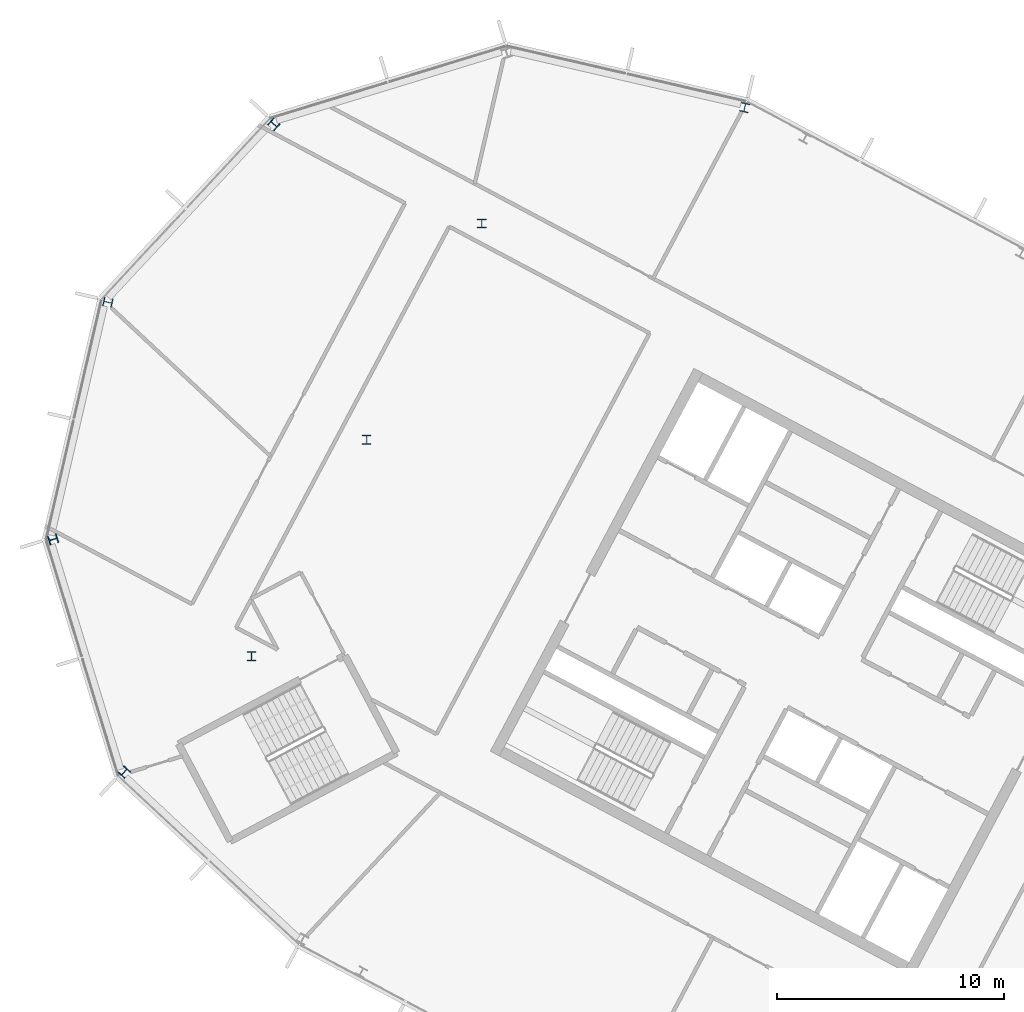
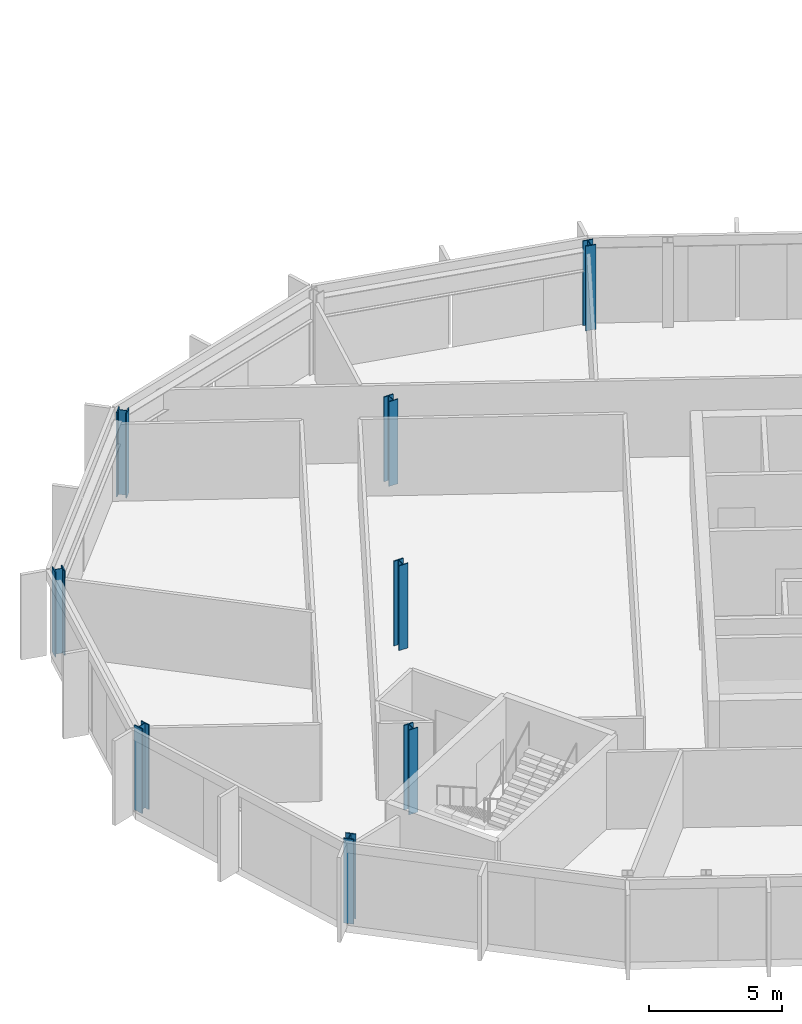
# One storey, part 3 of 25: 8 columns.
"""IFC4 building model written with IfcOpenShell, lengths in metres."""

import ifcopenshell
import ifcopenshell.guid

model = None  # the IFC model being written
_history = None  # IfcOwnerHistory: only IFC2X3 demands one
_inside = {}  # id of a spatial element -> (the spatial element, [elements in it])
_under = {}  # id of a project, library or spatial element -> (it, [spatial elements below it])
_declared = {}  # id of a project -> (the project, [libraries it declares])
_typed = {}  # id of a type object -> (the type object, [elements of that type])
_made_of = {}  # id of a material, layer set ... -> (it, [elements and type objects made of it])


def new_model(schema):
    """Start an empty IFC model of exactly this schema.

    Asked for "IFC4X3", IfcOpenShell would pick the latest addendum, in which some entities
    have other attributes; the version numbers below select the first issue.
    IFC2X3 requires an IfcOwnerHistory on every rooted entity: one is made here for all.
    """
    global model, _history
    if schema == "IFC4X3":
        model = ifcopenshell.file(schema_version=(4, 3, 0, 0))
    else:
        model = ifcopenshell.file(schema=schema)
    _inside.clear()
    _under.clear()
    _declared.clear()
    _typed.clear()
    _made_of.clear()
    _history = None
    if model.schema == "IFC2X3":
        org = make("IfcOrganization", Name="unknown")
        user = make(
            "IfcPersonAndOrganization",
            ThePerson=make("IfcPerson", FamilyName="unknown"),
            TheOrganization=org,
        )
        app = make(
            "IfcApplication",
            ApplicationDeveloper=org,
            Version="unknown",
            ApplicationFullName="unknown",
            ApplicationIdentifier="unknown",
        )
        _history = make(
            "IfcOwnerHistory",
            OwningUser=user,
            OwningApplication=app,
            ChangeAction="ADDED",
            CreationDate=0,
        )
    return model


def make(cls, **values):
    """One entity of the class cls with the attributes given. An attribute that is None is left unset."""
    return model.create_entity(
        cls, **{name: value for name, value in values.items() if value is not None}
    )


def rooted(cls, **values):
    """An entity with a GlobalId (a new one), such as an element, a storey or a relation."""
    return make(cls, GlobalId=ifcopenshell.guid.new(), OwnerHistory=_history, **values)


def si_unit(unit_type, name, prefix=None):
    """IfcSIUnit, for example si_unit("LENGTHUNIT", "METRE", prefix="MILLI")."""
    return make("IfcSIUnit", UnitType=unit_type, Prefix=prefix, Name=name)


def assignment(units):
    """IfcUnitAssignment: the units of a project."""
    return None if units is None else make("IfcUnitAssignment", Units=units)


def point(xyz):
    """IfcCartesianPoint."""
    return None if xyz is None else make("IfcCartesianPoint", Coordinates=xyz)


def direction(xyz):
    """IfcDirection."""
    return None if xyz is None else make("IfcDirection", DirectionRatios=xyz)


def frame(location, z_axis=None, x_axis=None):
    """IfcAxis2Placement3D, a coordinate frame: its origin and axes. An axis left out is left unset."""
    return make(
        "IfcAxis2Placement3D",
        Location=point(location),
        Axis=direction(z_axis),
        RefDirection=direction(x_axis),
    )


def frame_2d(location, x_axis=None):
    """IfcAxis2Placement2D, a coordinate frame in the plane: its origin and x axis."""
    return make(
        "IfcAxis2Placement2D", Location=point(location), RefDirection=direction(x_axis)
    )


def origin():
    """The frame at (0, 0, 0) with its axes left unset."""
    return frame((0.0, 0.0, 0.0))


def origin_2d():
    """The frame at (0, 0) in the plane with its x axis left unset."""
    return frame_2d((0.0, 0.0))


def place(relative_to, where):
    """IfcLocalPlacement: puts the frame where relative to a parent placement (None: the world)."""
    return make(
        "IfcLocalPlacement", PlacementRelTo=relative_to, RelativePlacement=where
    )


def context(
    kind, dimensions, precision=None, world=None, true_north=None, identifier=None
):
    """IfcGeometricRepresentationContext, for example the 3D "Model" context."""
    return make(
        "IfcGeometricRepresentationContext",
        ContextIdentifier=identifier,
        ContextType=kind,
        CoordinateSpaceDimension=dimensions,
        Precision=precision,
        WorldCoordinateSystem=world,
        TrueNorth=true_north,
    )


def subcontext(parent, identifier, kind, view, scale=None):
    """IfcGeometricRepresentationSubContext, for example "Body" below "Model"."""
    return make(
        "IfcGeometricRepresentationSubContext",
        ContextIdentifier=identifier,
        ContextType=kind,
        ParentContext=parent,
        TargetScale=scale,
        TargetView=view,
    )


def project(units=None, contexts=None):
    """IfcProject with its units and contexts."""
    return rooted(
        "IfcProject",
        Name="project",
        RepresentationContexts=contexts,
        UnitsInContext=assignment(units),
    )


def spatial(cls, under=None, at=None, **own):
    """A site, building, storey or space (cls), placed at a placement, below another one or the project."""
    s = rooted(cls, ObjectPlacement=at, **own)
    if under is not None:
        _under.setdefault(under.id(), (under, []))[1].append(s)
    return s


def profile(cls, at=None, kind="AREA", **sizes):
    """A parametric profile (cls). Its sizes go by their IFC names, for example OverallWidth=200.0."""
    return make(cls, ProfileType=kind, Position=at, **sizes)


def i_section(**sizes):
    """IfcIShapeProfileDef."""
    return profile("IfcIShapeProfileDef", **sizes)


def extrude(swept, where, along, depth):
    """IfcExtrudedAreaSolid: the profile swept, set in the frame where, extruded along a direction by depth."""
    return make(
        "IfcExtrudedAreaSolid",
        SweptArea=swept,
        Position=where,
        ExtrudedDirection=direction(along),
        Depth=depth,
    )


def shape(context_of_items, identifier, shape_type, items):
    """IfcShapeRepresentation: the items that make up one representation, for example the "Body"."""
    return make(
        "IfcShapeRepresentation",
        ContextOfItems=context_of_items,
        RepresentationIdentifier=identifier,
        RepresentationType=shape_type,
        Items=items,
    )


def material(Name=None, Category=None):
    """IfcMaterial."""
    return make("IfcMaterial", Name=Name, Category=Category)


def material_profile(
    of_material, cross_section, Name=None, Category=None, Priority=None
):
    """IfcMaterialProfile: a cross section and its material."""
    return make(
        "IfcMaterialProfile",
        Name=Name,
        Material=of_material,
        Profile=cross_section,
        Priority=Priority,
        Category=Category,
    )


def profile_set(profiles, Name=None, composite=None):
    """IfcMaterialProfileSet."""
    return make(
        "IfcMaterialProfileSet",
        Name=Name,
        MaterialProfiles=profiles,
        CompositeProfile=composite,
    )


def made_of(thing, what):
    """Note that an element or type object is made of a material, layer set ...; save() writes the relation."""
    if what is not None:
        _made_of.setdefault(what.id(), (what, []))[1].append(thing)
    return thing


def type_object(cls, material=None, **own):
    """A type object (cls), such as IfcWallType, which elements share."""
    return made_of(rooted(cls, **own), material)


def element(
    cls,
    number,
    at=None,
    inside=None,
    cuts=None,
    type_object=None,
    material=None,
    context=None,
    identifier="Body",
    shape_type=None,
    held_by="IfcProductDefinitionShape",
    body=None,
    shapes=None,
    **own,
):
    """One element of the class cls, such as IfcWall. Its Tag is "e" and its number.

    at: its placement. inside: the storey or other place that contains it. cuts: it is an
    opening in that element (IfcRelVoidsElement). A single representation is given by context,
    identifier, shape_type and body (its items); several are given by shapes. held_by: the class
    of the entity that holds the representations. save() writes the other relations.
    """
    e = rooted(cls, Tag="e%d" % number, ObjectPlacement=at, **own)
    if body is not None:
        shapes = [shape(context, identifier, shape_type, body)]
    if shapes is not None:
        e.Representation = make(held_by, Representations=shapes)
    if inside is not None:
        _inside.setdefault(inside.id(), (inside, []))[1].append(e)
    if cuts is not None:
        rooted(
            "IfcRelVoidsElement", RelatingBuildingElement=cuts, RelatedOpeningElement=e
        )
    if type_object is not None:
        _typed.setdefault(type_object.id(), (type_object, []))[1].append(e)
    return made_of(e, material)


def aggregate(whole, parts):
    """IfcRelAggregates: a whole, such as a stair, and the parts it consists of."""
    return rooted("IfcRelAggregates", RelatingObject=whole, RelatedObjects=parts)


def save(model, path):
    """Write the relations noted so far, then the file.

    IfcRelAggregates (storeys below a building ...), IfcRelContainedInSpatialStructure (elements
    in a storey), IfcRelDefinesByType, IfcRelAssociatesMaterial and IfcRelDeclares: one each for
    every whole, place, type object, material and project.
    """
    for whole, parts in _under.values():
        aggregate(whole, parts)
    for where, things in _inside.values():
        rooted(
            "IfcRelContainedInSpatialStructure",
            RelatedElements=things,
            RelatingStructure=where,
        )
    for kind, things in _typed.values():
        rooted("IfcRelDefinesByType", RelatedObjects=things, RelatingType=kind)
    for what, things in _made_of.values():
        rooted("IfcRelAssociatesMaterial", RelatedObjects=things, RelatingMaterial=what)
    for by, libraries in _declared.values():
        rooted("IfcRelDeclares", RelatingContext=by, RelatedDefinitions=libraries)
    model.write(path)


model = new_model("IFC4")

# Units and contexts
model_context = context("Model", 3, precision=1e-05, world=origin(), true_north=direction((0.0, 1.0)))
body_context = subcontext(model_context, "Body", "Model", "MODEL_VIEW")
ifc_project = project(units=[si_unit("LENGTHUNIT", "METRE"), si_unit("AREAUNIT", "SQUARE_METRE"), si_unit("VOLUMEUNIT", "CUBIC_METRE"), si_unit("PLANEANGLEUNIT", "RADIAN"), si_unit("MASSUNIT", "GRAM", prefix="KILO")], contexts=[model_context])

# Site, building, storey
site_placement = place(None, origin())
site = spatial("IfcSite", under=ifc_project, at=site_placement, CompositionType="ELEMENT")
building_placement = place(site_placement, origin())
building = spatial("IfcBuilding", under=site, at=building_placement, Name="Cormorant Relay Tower", CompositionType="ELEMENT")
storey_placement = place(building_placement, frame((0.0, 0.0, 273.60009765625)))
storey = spatial("IfcBuildingStorey", under=building, at=storey_placement, Name="L61", CompositionType="ELEMENT", Elevation=273.60009765625)

# Columns
ifc_material = material(Name="Steel ASTM A992 (Fy 345 MPa)", Category="steel")
ifc_material_profile = material_profile(ifc_material, i_section(OverallWidth=0.40380859375, OverallDepth=0.406494140625, WebThickness=0.027099609375, FlangeThickness=0.043701171875, FilletRadius=0.01513671875, at=origin_2d()), Name="W360x347")
ifc_profile_set = profile_set([ifc_material_profile], Name="Steel ASTM A992 (Fy 345 MPa)")
column_type = type_object("IfcColumnType", Name="Column W360x347", PredefinedType="COLUMN", material=ifc_profile_set)
for number, where, z_axis, x_axis, name in (
    (1, (-57.2958984375, 10.152099609375, 0.0), (0.0, 0.0, 1.0), (0.731353701619, -0.681998360062, 0.0), "Column L61-022"),
    (2, (-51.68994140625, 15.251953125, 0.0), (0.0, 0.0, 1.0), (1.0, 0.0, 0.0), "Column L61-026"),
    (3, (-60.429931640625, 20.403076171875, 0.0), (0.0, 0.0, 1.0), (0.292371704723, -0.956304755963, 0.0), "Column L61-028"),
    (4, (-46.6201171875, 24.7880859375, 0.0), (0.0, 0.0, 1.0), (1.0, 0.0, 0.0), "Column L61-030"),
    (5, (-58.01806640625, 30.84912109375, 0.0), (0.0, 0.0, 1.0), (-0.224951054344, -0.974370064785, 0.0), "Column L61-034"),
    (6, (-41.549072265625, 34.323974609375, 0.0), (0.0, 0.0, 1.0), (1.0, 0.0, 0.0), "Column L61-037"),
    (7, (-50.70703125, 38.68896484375, 0.0), (0.0, 0.0, 1.0), (-0.681998360062, -0.731353701619, 0.0), "Column L61-041"),
    (8, (-29.965087890625, 39.425048828125, 0.0), (0.0, 0.0, 1.0), (-0.974370064785, 0.224951054344, 0.0), "Column L61-042"),
):
    element("IfcColumn", number, at=place(storey_placement, frame(where, z_axis=z_axis, x_axis=x_axis)), inside=storey, type_object=column_type, Name=name, PredefinedType="COLUMN", context=body_context, shape_type="SweptSolid", body=[
        extrude(i_section(OverallWidth=0.40380859375, OverallDepth=0.406494140625, WebThickness=0.027099609375, FlangeThickness=0.043701171875, FilletRadius=0.01513671875, at=origin_2d()), origin(), (0.0, 0.0, 1.0), 3.89990234375),
    ])

save(model, "model.ifc")
